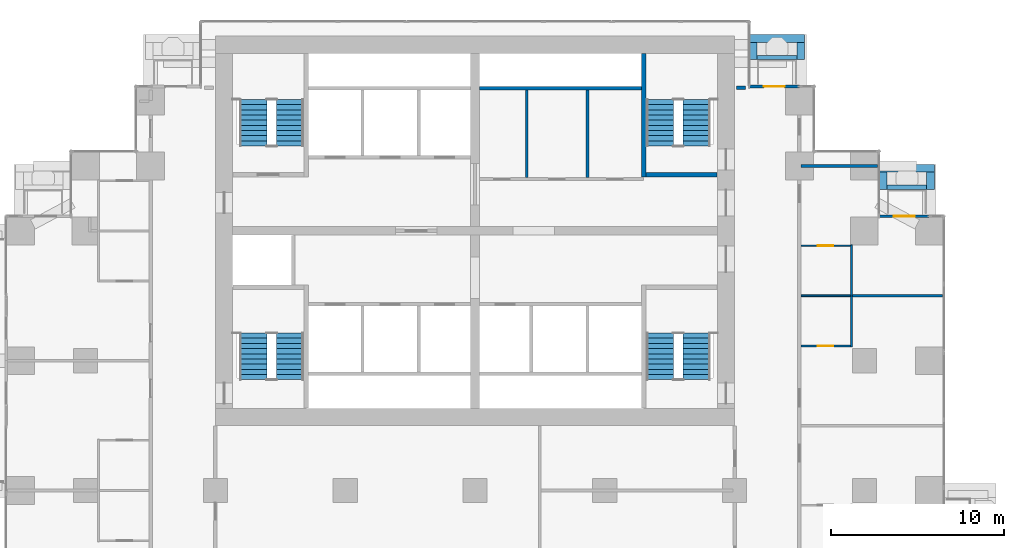
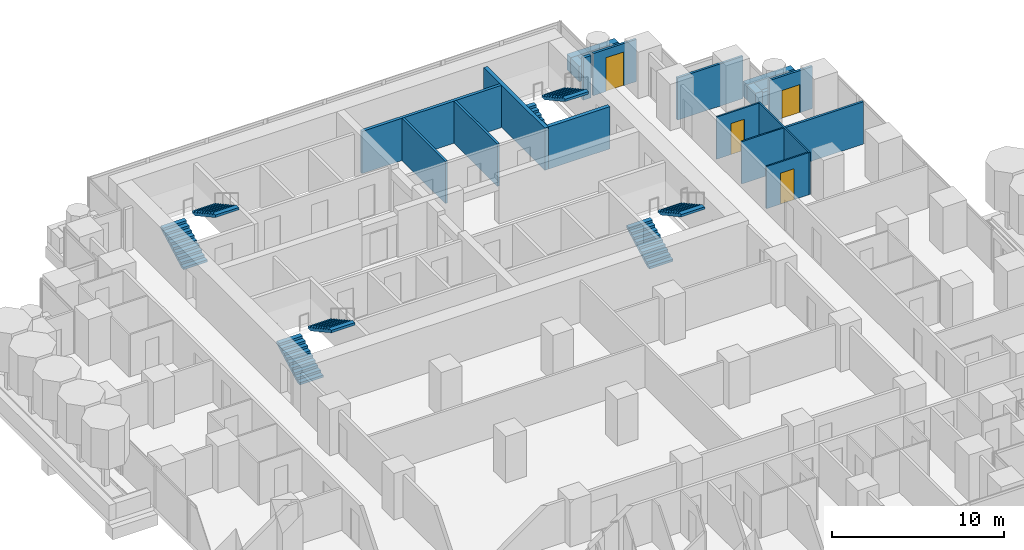
# One storey, part 14 of 17: 22 walls, 8 stair flights, 4 doors, 4 openings, 4 elements without a shape of their own.
"""IFC4 building model written with IfcOpenShell, lengths in metres."""

from ifc_helpers import new_model, si_unit, direction, frame, frame_2d, origin, place, context, subcontext, project, spatial, polyline, rectangle, outline, extrude, material, layer, layer_set, type_object, element, fill, aggregate, save


model = new_model("IFC4")

# Units and contexts
model_context = context("Model", 3, precision=1e-05, world=origin(), true_north=direction((0.0, 1.0)))
body_context = subcontext(model_context, "Body", "Model", "MODEL_VIEW")
ifc_project = project(units=[si_unit("LENGTHUNIT", "METRE"), si_unit("AREAUNIT", "SQUARE_METRE"), si_unit("VOLUMEUNIT", "CUBIC_METRE"), si_unit("PLANEANGLEUNIT", "RADIAN"), si_unit("MASSUNIT", "GRAM", prefix="KILO")], contexts=[model_context])

# Site, building, storey
site_placement = place(None, origin())
site = spatial("IfcSite", under=ifc_project, at=site_placement, CompositionType="ELEMENT")
building_placement = place(site_placement, origin())
building = spatial("IfcBuilding", under=site, at=building_placement, Name="Pilkhan Gate Tower", CompositionType="ELEMENT")
storey_placement = place(building_placement, frame((0.0, 0.0, 49.39990234375)))
storey = spatial("IfcBuildingStorey", under=building, at=storey_placement, Name="L09", CompositionType="ELEMENT", Elevation=49.39990234375)

# Walls
ifc_material_1 = material(Name="Concrete C40/50", Category="concrete")
ifc_layer_1 = layer(ifc_material_1, 0.25)
ifc_layer_set_1 = layer_set([ifc_layer_1], Name="Balcony planter BP250")
wall_type_1 = type_object("IfcWallType", Name="Balcony planter BP250", PredefinedType="USERDEFINED", material=ifc_layer_set_1)
wall_1_placement = place(storey_placement, frame((91.300048828125, 92.52490234375, 0.0), z_axis=(0.0, 0.0, 1.0), x_axis=(1.0, 0.0, 0.0)))
element("IfcWall", 1, at=wall_1_placement, inside=storey, type_object=wall_type_1, Name="Balcony planter L09 N", ObjectType="BALCONY PLANTER", PredefinedType="USERDEFINED", context=body_context, shape_type="SweptSolid", body=[
    extrude(rectangle(XDim=2.300048828125, YDim=0.25, at=frame_2d((1.14990234375, 0.0))), origin(), (0.0, 0.0, 1.0), 1.0),
])
wall_2_placement = place(storey_placement, frame((98.820068359375, 85.02490234375, 0.0), z_axis=(0.0, 0.0, 1.0), x_axis=(1.0, 0.0, 0.0)))
element("IfcWall", 2, at=wall_2_placement, inside=storey, type_object=wall_type_1, Name="Balcony planter L09 N", ObjectType="BALCONY PLANTER", PredefinedType="USERDEFINED", context=body_context, shape_type="SweptSolid", body=[
    extrude(rectangle(XDim=2.280029296875, YDim=0.25, at=frame_2d((1.14013671875, 0.0))), origin(), (0.0, 0.0, 1.0), 1.0),
])
ifc_material_2 = material(Name="Board-marked Concrete C40/50", Category="concrete")
ifc_layer_2 = layer(ifc_material_2, 0.449951171875)
ifc_layer_set_2 = layer_set([ifc_layer_2], Name="Balcony planter lip BL450")
wall_type_2 = type_object("IfcWallType", Name="Balcony planter lip BL450", PredefinedType="USERDEFINED", material=ifc_layer_set_2)
wall_3_placement = place(storey_placement, frame((90.85009765625, 93.625, 0.0), z_axis=(0.0, 0.0, 1.0), x_axis=(1.0, 0.0, 0.0)))
element("IfcWall", 3, at=wall_3_placement, inside=storey, type_object=wall_type_2, Name="Balcony planter L09 N", ObjectType="BALCONY PLANTER", PredefinedType="USERDEFINED", context=body_context, shape_type="SweptSolid", body=[
    extrude(rectangle(XDim=3.199951171875, YDim=0.449951171875, at=frame_2d((1.60009765625, 0.0))), origin(), (0.0, 0.0, 1.0), 1.10009765625),
])
for number, where, z_axis, x_axis, name in (
    (4, (91.074951171875, 92.39990234375, 0.0), (0.0, 0.0, 1.0), (0.0, 1.0, 0.0), "Balcony planter L09 N"),
    (5, (93.824951171875, 92.39990234375, 0.0), (0.0, 0.0, 1.0), (0.0, 1.0, 0.0), "Balcony planter L09 N"),
):
    element("IfcWall", number, at=place(storey_placement, frame(where, z_axis=z_axis, x_axis=x_axis)), inside=storey, type_object=wall_type_2, Name=name, ObjectType="BALCONY PLANTER", PredefinedType="USERDEFINED", context=body_context, shape_type="SweptSolid", body=[
        extrude(rectangle(XDim=1.0, YDim=0.449951171875, at=frame_2d((0.5, 0.0))), origin(), (0.0, 0.0, 1.0), 1.10009765625),
    ])
wall_4_placement = place(storey_placement, frame((98.3701171875, 86.125, 0.0), z_axis=(0.0, 0.0, 1.0), x_axis=(1.0, 0.0, 0.0)))
element("IfcWall", 6, at=wall_4_placement, inside=storey, type_object=wall_type_2, Name="Balcony planter L09 N", ObjectType="BALCONY PLANTER", PredefinedType="USERDEFINED", context=body_context, shape_type="SweptSolid", body=[
    extrude(rectangle(XDim=3.179931640625, YDim=0.449951171875, at=frame_2d((1.58984375, 0.0))), origin(), (0.0, 0.0, 1.0), 1.10009765625),
])
for number, where, z_axis, x_axis, name in (
    (7, (98.594970703125, 84.89990234375, 0.0), (0.0, 0.0, 1.0), (0.0, 1.0, 0.0), "Balcony planter L09 N"),
    (8, (101.324951171875, 84.89990234375, 0.0), (0.0, 0.0, 1.0), (0.0, 1.0, 0.0), "Balcony planter L09 N"),
):
    element("IfcWall", number, at=place(storey_placement, frame(where, z_axis=z_axis, x_axis=x_axis)), inside=storey, type_object=wall_type_2, Name=name, ObjectType="BALCONY PLANTER", PredefinedType="USERDEFINED", context=body_context, shape_type="SweptSolid", body=[
        extrude(rectangle(XDim=1.0, YDim=0.449951171875, at=frame_2d((0.5, 0.0))), origin(), (0.0, 0.0, 1.0), 1.10009765625),
    ])
ifc_material_3 = material(Name="Dense blockwork", Category="masonry")
ifc_layer_3 = layer(ifc_material_3, 0.199951171875)
ifc_layer_set_3 = layer_set([ifc_layer_3], Name="Corridor wall FW200")
wall_type_3 = type_object("IfcWallType", Name="Corridor wall FW200", PredefinedType="PARTITIONING", material=ifc_layer_set_3)
wall_5_placement = place(storey_placement, frame((90.1201171875, 90.764892578125, 0.0), z_axis=(0.0, 0.0, 1.0), x_axis=(1.0, 0.0, 0.0)))
element("IfcWall", 9, at=wall_5_placement, inside=storey, type_object=wall_type_3, Name="Partition L09", PredefinedType="PARTITIONING", context=body_context, shape_type="SweptSolid", body=[
    extrude(rectangle(XDim=0.52490234375, YDim=0.199951171875, at=frame_2d((0.262451171875, 0.0))), origin(), (0.0, 0.0, 1.0), 3.0),
])

# Wall, opening, door
ifc_material_4 = material(Name="Pale anodised aluminium, clear laminated glazing", Category="aluminium")
ifc_layer_4 = layer(ifc_material_4, 0.14990234375)
ifc_layer_set_4 = layer_set([ifc_layer_4], Name="Facade infill wall IW150")
wall_type_4 = type_object("IfcWallType", Name="Facade infill wall IW150", PredefinedType="SOLIDWALL", material=ifc_layer_set_4)
wall_6_placement = place(storey_placement, frame((98.344970703125, 83.344970703125, 0.0), z_axis=(0.0, 0.0, 1.0), x_axis=(1.0, 0.0, 0.0)))
wall_6 = element("IfcWall", 10, at=wall_6_placement, inside=storey, type_object=wall_type_4, Name="Infill wall L09 N", PredefinedType="SOLIDWALL", context=body_context, shape_type="SweptSolid", body=[
    extrude(rectangle(XDim=2.905029296875, YDim=0.14990234375, at=frame_2d((1.45263671875, 0.0))), origin(), (0.0, 0.0, 1.0), 3.0),
])
opening_1_placement = place(wall_6_placement, frame((0.8525390625, 0.0, 0.0)))
opening_1 = element("IfcOpeningElement", 11, at=opening_1_placement, cuts=wall_6, Name="Opening D1L", PredefinedType="OPENING", context=body_context, shape_type="SweptSolid", body=[
    extrude(rectangle(XDim=1.199951171875, YDim=2.0, at=frame_2d((0.60009765625, 1.0))), frame((0.0, 0.0849609375, 0.0), z_axis=(0.0, -1.0, 0.0), x_axis=(1.0, 0.0, 0.0)), (0.0, 0.0, 1.0), 0.169921875),
])
ifc_material_5 = material(Name="Pale anodised aluminium, clear glazing", Category="aluminium")
door_type_1 = type_object("IfcDoorType", Name="Balcony door D1L 1200x2000", OperationType="SINGLE_SWING_LEFT", PredefinedType="DOOR", material=ifc_material_5)
door_1_placement = place(opening_1_placement, origin())
door_1 = element("IfcDoor", 12, at=door_1_placement, inside=storey, type_object=door_type_1, Name="Balcony door L09", OperationType="SINGLE_SWING_LEFT", OverallHeight=2.0, OverallWidth=1.199951171875, PredefinedType="DOOR", context=body_context, shape_type="SweptSolid", body=[
    extrude(rectangle(XDim=1.199951171875, YDim=2.0, at=frame_2d((0.60009765625, 1.0))), frame((0.0, 0.02490234375, 0.0), z_axis=(0.0, -1.0, 0.0), x_axis=(1.0, 0.0, 0.0)), (0.0, 0.0, 1.0), 0.050048828125),
])
fill(opening_1, door_1)

wall_7_placement = place(storey_placement, frame((90.844970703125, 90.844970703125, 0.0), z_axis=(0.0, 0.0, 1.0), x_axis=(1.0, 0.0, 0.0)))
wall_7 = element("IfcWall", 13, at=wall_7_placement, inside=storey, type_object=wall_type_4, Name="Infill wall L09 N", PredefinedType="SOLIDWALL", context=body_context, shape_type="SweptSolid", body=[
    extrude(rectangle(XDim=2.905029296875, YDim=0.14990234375, at=frame_2d((1.45263671875, 0.0))), origin(), (0.0, 0.0, 1.0), 3.0),
])
opening_2_placement = place(wall_7_placement, frame((0.8525390625, 0.0, 0.0)))
opening_2 = element("IfcOpeningElement", 14, at=opening_2_placement, cuts=wall_7, Name="Opening D1", PredefinedType="OPENING", context=body_context, shape_type="SweptSolid", body=[
    extrude(rectangle(XDim=1.199951171875, YDim=2.39990234375, at=frame_2d((0.60009765625, 1.199951171875))), frame((0.0, 0.0849609375, 0.0), z_axis=(0.0, -1.0, 0.0), x_axis=(1.0, 0.0, 0.0)), (0.0, 0.0, 1.0), 0.169921875),
])
door_type_2 = type_object("IfcDoorType", Name="Balcony door D1 1200x2400", OperationType="SINGLE_SWING_LEFT", PredefinedType="DOOR", material=ifc_material_5)
door_2_placement = place(opening_2_placement, origin())
door_2 = element("IfcDoor", 15, at=door_2_placement, inside=storey, type_object=door_type_2, Name="Balcony door L09", OperationType="SINGLE_SWING_LEFT", OverallHeight=2.39990234375, OverallWidth=1.199951171875, PredefinedType="DOOR", context=body_context, shape_type="SweptSolid", body=[
    extrude(rectangle(XDim=1.199951171875, YDim=2.39990234375, at=frame_2d((0.60009765625, 1.199951171875))), frame((0.0, 0.02490234375, 0.0), z_axis=(0.0, -1.0, 0.0), x_axis=(1.0, 0.0, 0.0)), (0.0, 0.0, 1.0), 0.050048828125),
])
fill(opening_2, door_2)

# Walls
ifc_layer_5 = layer(ifc_material_3, 0.199951171875)
ifc_layer_set_5 = layer_set([ifc_layer_5], Name="Lobby wall LW200")
wall_type_5 = type_object("IfcWallType", Name="Lobby wall LW200", PredefinedType="PARTITIONING", material=ifc_layer_set_5)
wall_8_placement = place(storey_placement, frame((75.260009765625, 90.75, 0.0), z_axis=(0.0, 0.0, 1.0), x_axis=(1.0, 0.0, 0.0)))
element("IfcWall", 16, at=wall_8_placement, inside=storey, type_object=wall_type_5, Name="Partition L09", PredefinedType="PARTITIONING", context=body_context, shape_type="SweptSolid", body=[
    extrude(rectangle(XDim=9.364990234375, YDim=0.199951171875, at=frame_2d((4.6826171875, 0.0))), origin(), (0.0, 0.0, 1.0), 3.0),
])
ifc_material_6 = material(Name="Blockwork partition, plastered both sides", Category="masonry")
ifc_layer_6 = layer(ifc_material_6, 0.14990234375)
ifc_layer_set_6 = layer_set([ifc_layer_6], Name="Partition PW150")
wall_type_6 = type_object("IfcWallType", Name="Partition PW150", PredefinedType="PARTITIONING", material=ifc_layer_set_6)
wall_9_placement = place(storey_placement, frame((96.800048828125, 78.75, 0.0), z_axis=(0.0, 0.0, 1.0), x_axis=(1.0, 0.0, 0.0)))
element("IfcWall", 17, at=wall_9_placement, inside=storey, type_object=wall_type_6, Name="Partition L09", PredefinedType="PARTITIONING", context=body_context, shape_type="SweptSolid", body=[
    extrude(rectangle(XDim=5.21484375, YDim=0.14990234375, at=frame_2d((2.607421875, 0.0))), origin(), (0.0, 0.0, 1.0), 3.0),
])
wall_10_placement = place(storey_placement, frame((93.85009765625, 86.25, 0.0), z_axis=(0.0, 0.0, 1.0), x_axis=(1.0, 0.0, 0.0)))
element("IfcWall", 18, at=wall_10_placement, inside=storey, type_object=wall_type_6, Name="Partition L09", PredefinedType="PARTITIONING", context=body_context, shape_type="SweptSolid", body=[
    extrude(rectangle(XDim=4.414794921875, YDim=0.14990234375, at=frame_2d((2.20751953125, 0.0))), origin(), (0.0, 0.0, 1.0), 3.0),
])
for number, where, z_axis, x_axis, name in (
    (19, (78.0, 85.60009765625, 0.0), (0.0, 0.0, 1.0), (0.0, 1.0, 0.0), "Partition L09"),
    (20, (81.5, 85.60009765625, 0.0), (0.0, 0.0, 1.0), (0.0, 1.0, 0.0), "Partition L09"),
):
    element("IfcWall", number, at=place(storey_placement, frame(where, z_axis=z_axis, x_axis=x_axis)), inside=storey, type_object=wall_type_6, Name=name, PredefinedType="PARTITIONING", context=body_context, shape_type="SweptSolid", body=[
        extrude(rectangle(XDim=5.0498046875, YDim=0.14990234375, at=frame_2d((2.52490234375, 0.0))), origin(), (0.0, 0.0, 1.0), 3.0),
    ])
ifc_material_7 = material(Name="Reinforced blockwork, 120 minute fire resisting", Category="masonry")
ifc_layer_7 = layer(ifc_material_7, 0.25)
ifc_layer_set_7 = layer_set([ifc_layer_7], Name="Stair enclosure wall SE250")
wall_type_7 = type_object("IfcWallType", Name="Stair enclosure wall SE250", PredefinedType="PARTITIONING", material=ifc_layer_set_7)
wall_11_placement = place(storey_placement, frame((84.875, 85.75, 0.0), z_axis=(0.0, 0.0, 1.0), x_axis=(1.0, 0.0, 0.0)))
element("IfcWall", 21, at=wall_11_placement, inside=storey, type_object=wall_type_7, Name="Partition L09", PredefinedType="PARTITIONING", context=body_context, shape_type="SweptSolid", body=[
    extrude(rectangle(XDim=4.114990234375, YDim=0.25, at=frame_2d((2.0576171875, 0.0))), origin(), (0.0, 0.0, 1.0), 3.0),
])
wall_12_placement = place(storey_placement, frame((84.75, 85.625, 0.0), z_axis=(0.0, 0.0, 1.0), x_axis=(0.0, 1.0, 0.0)))
element("IfcWall", 22, at=wall_12_placement, inside=storey, type_object=wall_type_7, Name="Partition L09", PredefinedType="PARTITIONING", context=body_context, shape_type="SweptSolid", body=[
    extrude(rectangle(XDim=7.114990234375, YDim=0.25, at=frame_2d((3.5576171875, 0.0))), origin(), (0.0, 0.0, 1.0), 3.0),
])

# Wall, opening, door
ifc_material_8 = material(Name="Moisture resistant board, tiled")
ifc_layer_8 = layer(ifc_material_8, 0.10009765625)
ifc_layer_set_8 = layer_set([ifc_layer_8], Name="Wet wall PW100")
wall_type_8 = type_object("IfcWallType", Name="Wet wall PW100", PredefinedType="PARTITIONING", material=ifc_layer_set_8)
wall_13_placement = place(storey_placement, frame((93.85009765625, 75.85009765625, 0.0), z_axis=(0.0, 0.0, 1.0), x_axis=(1.0, 0.0, 0.0)))
wall_13 = element("IfcWall", 23, at=wall_13_placement, inside=storey, type_object=wall_type_8, Name="Partition L09", PredefinedType="PARTITIONING", context=body_context, shape_type="SweptSolid", body=[
    extrude(rectangle(XDim=2.849853515625, YDim=0.10009765625, at=frame_2d((1.4248046875, 0.0))), origin(), (0.0, 0.0, 1.0), 3.0),
])
opening_3_placement = place(wall_13_placement, frame((0.949951171875, 0.0, 0.0)))
opening_3 = element("IfcOpeningElement", 24, at=opening_3_placement, cuts=wall_13, Name="Opening L09-43", PredefinedType="OPENING", context=body_context, shape_type="SweptSolid", body=[
    extrude(rectangle(XDim=0.89990234375, YDim=2.199951171875, at=frame_2d((0.449951171875, 1.10009765625))), frame((0.0, 0.06005859375, 0.0), z_axis=(0.0, -1.0, 0.0), x_axis=(1.0, 0.0, 0.0)), (0.0, 0.0, 1.0), 0.1201171875),
])
ifc_material_9 = material(Name="Timber flush door", Category="wood")
door_type_3 = type_object("IfcDoorType", Name="Bathroom door D02 900x2200", OperationType="SINGLE_SWING_RIGHT", PredefinedType="DOOR", material=ifc_material_9)
door_3_placement = place(opening_3_placement, origin())
door_3 = element("IfcDoor", 25, at=door_3_placement, inside=storey, type_object=door_type_3, Name="Bathroom door", OperationType="SINGLE_SWING_RIGHT", OverallHeight=2.199951171875, OverallWidth=0.89990234375, PredefinedType="DOOR", context=body_context, shape_type="SweptSolid", body=[
    extrude(rectangle(XDim=0.89990234375, YDim=2.199951171875, at=frame_2d((0.449951171875, 1.10009765625))), frame((0.0, 0.02490234375, 0.0), z_axis=(0.0, -1.0, 0.0), x_axis=(1.0, 0.0, 0.0)), (0.0, 0.0, 1.0), 0.050048828125),
])
fill(opening_3, door_3)

# Wall
wall_14_placement = place(storey_placement, frame((93.85009765625, 78.75, 0.0), z_axis=(0.0, 0.0, 1.0), x_axis=(1.0, 0.0, 0.0)))
element("IfcWall", 26, at=wall_14_placement, inside=storey, type_object=wall_type_8, Name="Partition L09", PredefinedType="PARTITIONING", context=body_context, shape_type="SweptSolid", body=[
    extrude(rectangle(XDim=2.849853515625, YDim=0.10009765625, at=frame_2d((1.4248046875, 0.0))), origin(), (0.0, 0.0, 1.0), 3.0),
])

# Wall, opening, door
wall_15_placement = place(storey_placement, frame((93.85009765625, 81.64990234375, 0.0), z_axis=(0.0, 0.0, 1.0), x_axis=(1.0, 0.0, 0.0)))
wall_15 = element("IfcWall", 27, at=wall_15_placement, inside=storey, type_object=wall_type_8, Name="Partition L09", PredefinedType="PARTITIONING", context=body_context, shape_type="SweptSolid", body=[
    extrude(rectangle(XDim=2.849853515625, YDim=0.10009765625, at=frame_2d((1.4248046875, 0.0))), origin(), (0.0, 0.0, 1.0), 3.0),
])
opening_4_placement = place(wall_15_placement, frame((0.949951171875, 0.0, 0.0)))
opening_4 = element("IfcOpeningElement", 28, at=opening_4_placement, cuts=wall_15, Name="Opening L09-45", PredefinedType="OPENING", context=body_context, shape_type="SweptSolid", body=[
    extrude(rectangle(XDim=0.89990234375, YDim=2.199951171875, at=frame_2d((0.449951171875, 1.10009765625))), frame((0.0, 0.06005859375, 0.0), z_axis=(0.0, -1.0, 0.0), x_axis=(1.0, 0.0, 0.0)), (0.0, 0.0, 1.0), 0.1201171875),
])
door_4_placement = place(opening_4_placement, origin())
door_4 = element("IfcDoor", 29, at=door_4_placement, inside=storey, type_object=door_type_3, Name="Bathroom door", OperationType="SINGLE_SWING_RIGHT", OverallHeight=2.199951171875, OverallWidth=0.89990234375, PredefinedType="DOOR", context=body_context, shape_type="SweptSolid", body=[
    extrude(rectangle(XDim=0.89990234375, YDim=2.199951171875, at=frame_2d((0.449951171875, 1.10009765625))), frame((0.0, 0.02490234375, 0.0), z_axis=(0.0, -1.0, 0.0), x_axis=(1.0, 0.0, 0.0)), (0.0, 0.0, 1.0), 0.050048828125),
])
fill(opening_4, door_4)

# Wall
wall_16_placement = place(storey_placement, frame((96.75, 75.800048828125, 0.0), z_axis=(0.0, 0.0, 1.0), x_axis=(0.0, 1.0, 0.0)))
element("IfcWall", 30, at=wall_16_placement, inside=storey, type_object=wall_type_8, Name="Partition L09", PredefinedType="PARTITIONING", context=body_context, shape_type="SweptSolid", body=[
    extrude(rectangle(XDim=5.89990234375, YDim=0.10009765625, at=frame_2d((2.949951171875, 0.0))), origin(), (0.0, 0.0, 1.0), 3.0),
])

# Stair, stair flights
ifc_material_10 = material(Name="Concrete C40/50 precast", Category="concrete")
stair_type_1 = type_object("IfcStairType", Name="Stair ST1 165x300", PredefinedType="HALF_TURN_STAIR", material=ifc_material_10)
stair_1_placement = place(storey_placement, origin())
stair_1 = element("IfcStair", 31, at=stair_1_placement, inside=storey, type_object=stair_type_1, Name="Stair ST1 L09", PredefinedType="HALF_TURN_STAIR")
stair_flight_type_1 = type_object("IfcStairFlightType", Name="Stair flight ST1 165x300x10", PredefinedType="STRAIGHT", material=ifc_material_10)
stair_flight_1_placement = place(storey_placement, frame((85.68994140625, 73.89990234375, 0.0), z_axis=(0.0, 0.0, 1.0), x_axis=(0.0, 1.0, 0.0)))
stair_flight_1 = element("IfcStairFlight", 32, at=stair_flight_1_placement, type_object=stair_flight_type_1, Name="ST1 flight 1", NumberOfRisers=10, NumberOfTreads=9, PredefinedType="STRAIGHT", RiserHeight=0.165, TreadLength=0.3, context=body_context, shape_type="SweptSolid", body=[
    extrude(outline(polyline([(0.0, 0.0), (0.0, 0.1650390625), (0.300048828125, 0.1650390625), (0.300048828125, 0.330078125), (0.60009765625, 0.330078125), (0.60009765625, 0.4951171875), (0.89990234375, 0.4951171875), (0.89990234375, 0.659912109375), (1.199951171875, 0.659912109375), (1.199951171875, 0.824951171875), (1.5, 0.824951171875), (1.5, 0.989990234375), (1.800048828125, 0.989990234375), (1.800048828125, 1.155029296875), (2.10009765625, 1.155029296875), (2.10009765625, 1.320068359375), (2.39990234375, 1.320068359375), (2.39990234375, 1.485107421875), (2.699951171875, 1.485107421875), (2.699951171875, 1.64990234375), (2.699951171875, 1.31396484375), (0.31103515625, 0.0), (0.0, 0.0)])), frame((0.0, 0.7900390625, 0.0), z_axis=(0.0, -1.0, 0.0), x_axis=(1.0, 0.0, 0.0)), (0.0, 0.0, 1.0), 1.580078125),
])
stair_flight_2_placement = place(storey_placement, frame((87.81005859375, 76.60009765625, 1.650146484375), z_axis=(0.0, 0.0, 1.0), x_axis=(0.0, -1.0, 0.0)))
stair_flight_2 = element("IfcStairFlight", 33, at=stair_flight_2_placement, type_object=stair_flight_type_1, Name="ST1 flight 2", NumberOfRisers=10, NumberOfTreads=9, PredefinedType="STRAIGHT", RiserHeight=0.165, TreadLength=0.3, context=body_context, shape_type="SweptSolid", body=[
    extrude(outline(polyline([(0.0, 0.0), (0.0, 0.1650390625), (0.300048828125, 0.1650390625), (0.300048828125, 0.330078125), (0.60009765625, 0.330078125), (0.60009765625, 0.4951171875), (0.89990234375, 0.4951171875), (0.89990234375, 0.659912109375), (1.199951171875, 0.659912109375), (1.199951171875, 0.824951171875), (1.5, 0.824951171875), (1.5, 0.989990234375), (1.800048828125, 0.989990234375), (1.800048828125, 1.155029296875), (2.10009765625, 1.155029296875), (2.10009765625, 1.320068359375), (2.39990234375, 1.320068359375), (2.39990234375, 1.485107421875), (2.699951171875, 1.485107421875), (2.699951171875, 1.64990234375), (2.699951171875, 1.31396484375), (0.31103515625, 0.0), (0.0, 0.0)])), frame((0.0, 0.7900390625, 0.0), z_axis=(0.0, -1.0, 0.0), x_axis=(1.0, 0.0, 0.0)), (0.0, 0.0, 1.0), 1.580078125),
])
aggregate(stair_1, [stair_flight_1, stair_flight_2])

stair_type_2 = type_object("IfcStairType", Name="Stair ST2 165x300", PredefinedType="HALF_TURN_STAIR", material=ifc_material_10)
stair_2_placement = place(storey_placement, origin())
stair_2 = element("IfcStair", 34, at=stair_2_placement, inside=storey, type_object=stair_type_2, Name="Stair ST2 L09", PredefinedType="HALF_TURN_STAIR")
stair_flight_type_2 = type_object("IfcStairFlightType", Name="Stair flight ST2 165x300x10", PredefinedType="STRAIGHT", material=ifc_material_10)
stair_flight_3_placement = place(storey_placement, frame((62.18994140625, 73.89990234375, 0.0), z_axis=(0.0, 0.0, 1.0), x_axis=(0.0, 1.0, 0.0)))
stair_flight_3 = element("IfcStairFlight", 35, at=stair_flight_3_placement, type_object=stair_flight_type_2, Name="ST2 flight 1", NumberOfRisers=10, NumberOfTreads=9, PredefinedType="STRAIGHT", RiserHeight=0.165, TreadLength=0.3, context=body_context, shape_type="SweptSolid", body=[
    extrude(outline(polyline([(0.0, 0.0), (0.0, 0.1650390625), (0.300048828125, 0.1650390625), (0.300048828125, 0.330078125), (0.60009765625, 0.330078125), (0.60009765625, 0.4951171875), (0.89990234375, 0.4951171875), (0.89990234375, 0.659912109375), (1.199951171875, 0.659912109375), (1.199951171875, 0.824951171875), (1.5, 0.824951171875), (1.5, 0.989990234375), (1.800048828125, 0.989990234375), (1.800048828125, 1.155029296875), (2.10009765625, 1.155029296875), (2.10009765625, 1.320068359375), (2.39990234375, 1.320068359375), (2.39990234375, 1.485107421875), (2.699951171875, 1.485107421875), (2.699951171875, 1.64990234375), (2.699951171875, 1.31396484375), (0.31103515625, 0.0), (0.0, 0.0)])), frame((0.0, 0.7900390625, 0.0), z_axis=(0.0, -1.0, 0.0), x_axis=(1.0, 0.0, 0.0)), (0.0, 0.0, 1.0), 1.580078125),
])
stair_flight_4_placement = place(storey_placement, frame((64.31005859375, 76.60009765625, 1.650146484375), z_axis=(0.0, 0.0, 1.0), x_axis=(0.0, -1.0, 0.0)))
stair_flight_4 = element("IfcStairFlight", 36, at=stair_flight_4_placement, type_object=stair_flight_type_2, Name="ST2 flight 2", NumberOfRisers=10, NumberOfTreads=9, PredefinedType="STRAIGHT", RiserHeight=0.165, TreadLength=0.3, context=body_context, shape_type="SweptSolid", body=[
    extrude(outline(polyline([(0.0, 0.0), (0.0, 0.1650390625), (0.300048828125, 0.1650390625), (0.300048828125, 0.330078125), (0.60009765625, 0.330078125), (0.60009765625, 0.4951171875), (0.89990234375, 0.4951171875), (0.89990234375, 0.659912109375), (1.199951171875, 0.659912109375), (1.199951171875, 0.824951171875), (1.5, 0.824951171875), (1.5, 0.989990234375), (1.800048828125, 0.989990234375), (1.800048828125, 1.155029296875), (2.10009765625, 1.155029296875), (2.10009765625, 1.320068359375), (2.39990234375, 1.320068359375), (2.39990234375, 1.485107421875), (2.699951171875, 1.485107421875), (2.699951171875, 1.64990234375), (2.699951171875, 1.31396484375), (0.31103515625, 0.0), (0.0, 0.0)])), frame((0.0, 0.7900390625, 0.0), z_axis=(0.0, -1.0, 0.0), x_axis=(1.0, 0.0, 0.0)), (0.0, 0.0, 1.0), 1.580078125),
])
aggregate(stair_2, [stair_flight_3, stair_flight_4])

stair_type_3 = type_object("IfcStairType", Name="Stair ST3 165x300", PredefinedType="HALF_TURN_STAIR", material=ifc_material_10)
stair_3_placement = place(storey_placement, origin())
stair_3 = element("IfcStair", 37, at=stair_3_placement, inside=storey, type_object=stair_type_3, Name="Stair ST3 L09", PredefinedType="HALF_TURN_STAIR")
stair_flight_type_3 = type_object("IfcStairFlightType", Name="Stair flight ST3 165x300x10", PredefinedType="STRAIGHT", material=ifc_material_10)
stair_flight_5_placement = place(storey_placement, frame((62.18994140625, 87.39990234375, 0.0), z_axis=(0.0, 0.0, 1.0), x_axis=(0.0, 1.0, 0.0)))
stair_flight_5 = element("IfcStairFlight", 38, at=stair_flight_5_placement, type_object=stair_flight_type_3, Name="ST3 flight 1", NumberOfRisers=10, NumberOfTreads=9, PredefinedType="STRAIGHT", RiserHeight=0.165, TreadLength=0.3, context=body_context, shape_type="SweptSolid", body=[
    extrude(outline(polyline([(0.0, 0.0), (0.0, 0.1650390625), (0.300048828125, 0.1650390625), (0.300048828125, 0.330078125), (0.60009765625, 0.330078125), (0.60009765625, 0.4951171875), (0.89990234375, 0.4951171875), (0.89990234375, 0.659912109375), (1.199951171875, 0.659912109375), (1.199951171875, 0.824951171875), (1.5, 0.824951171875), (1.5, 0.989990234375), (1.800048828125, 0.989990234375), (1.800048828125, 1.155029296875), (2.10009765625, 1.155029296875), (2.10009765625, 1.320068359375), (2.39990234375, 1.320068359375), (2.39990234375, 1.485107421875), (2.699951171875, 1.485107421875), (2.699951171875, 1.64990234375), (2.699951171875, 1.31396484375), (0.31103515625, 0.0), (0.0, 0.0)])), frame((0.0, 0.7900390625, 0.0), z_axis=(0.0, -1.0, 0.0), x_axis=(1.0, 0.0, 0.0)), (0.0, 0.0, 1.0), 1.580078125),
])
stair_flight_6_placement = place(storey_placement, frame((64.31005859375, 90.10009765625, 1.650146484375), z_axis=(0.0, 0.0, 1.0), x_axis=(0.0, -1.0, 0.0)))
stair_flight_6 = element("IfcStairFlight", 39, at=stair_flight_6_placement, type_object=stair_flight_type_3, Name="ST3 flight 2", NumberOfRisers=10, NumberOfTreads=9, PredefinedType="STRAIGHT", RiserHeight=0.165, TreadLength=0.3, context=body_context, shape_type="SweptSolid", body=[
    extrude(outline(polyline([(0.0, 0.0), (0.0, 0.1650390625), (0.300048828125, 0.1650390625), (0.300048828125, 0.330078125), (0.60009765625, 0.330078125), (0.60009765625, 0.4951171875), (0.89990234375, 0.4951171875), (0.89990234375, 0.659912109375), (1.199951171875, 0.659912109375), (1.199951171875, 0.824951171875), (1.5, 0.824951171875), (1.5, 0.989990234375), (1.800048828125, 0.989990234375), (1.800048828125, 1.155029296875), (2.10009765625, 1.155029296875), (2.10009765625, 1.320068359375), (2.39990234375, 1.320068359375), (2.39990234375, 1.485107421875), (2.699951171875, 1.485107421875), (2.699951171875, 1.64990234375), (2.699951171875, 1.31396484375), (0.31103515625, 0.0), (0.0, 0.0)])), frame((0.0, 0.7900390625, 0.0), z_axis=(0.0, -1.0, 0.0), x_axis=(1.0, 0.0, 0.0)), (0.0, 0.0, 1.0), 1.580078125),
])
aggregate(stair_3, [stair_flight_5, stair_flight_6])

stair_type_4 = type_object("IfcStairType", Name="Stair ST4 165x300", PredefinedType="HALF_TURN_STAIR", material=ifc_material_10)
stair_4_placement = place(storey_placement, origin())
stair_4 = element("IfcStair", 40, at=stair_4_placement, inside=storey, type_object=stair_type_4, Name="Stair ST4 L09", PredefinedType="HALF_TURN_STAIR")
stair_flight_type_4 = type_object("IfcStairFlightType", Name="Stair flight ST4 165x300x10", PredefinedType="STRAIGHT", material=ifc_material_10)
stair_flight_7_placement = place(storey_placement, frame((85.68994140625, 87.39990234375, 0.0), z_axis=(0.0, 0.0, 1.0), x_axis=(0.0, 1.0, 0.0)))
stair_flight_7 = element("IfcStairFlight", 41, at=stair_flight_7_placement, type_object=stair_flight_type_4, Name="ST4 flight 1", NumberOfRisers=10, NumberOfTreads=9, PredefinedType="STRAIGHT", RiserHeight=0.165, TreadLength=0.3, context=body_context, shape_type="SweptSolid", body=[
    extrude(outline(polyline([(0.0, 0.0), (0.0, 0.1650390625), (0.300048828125, 0.1650390625), (0.300048828125, 0.330078125), (0.60009765625, 0.330078125), (0.60009765625, 0.4951171875), (0.89990234375, 0.4951171875), (0.89990234375, 0.659912109375), (1.199951171875, 0.659912109375), (1.199951171875, 0.824951171875), (1.5, 0.824951171875), (1.5, 0.989990234375), (1.800048828125, 0.989990234375), (1.800048828125, 1.155029296875), (2.10009765625, 1.155029296875), (2.10009765625, 1.320068359375), (2.39990234375, 1.320068359375), (2.39990234375, 1.485107421875), (2.699951171875, 1.485107421875), (2.699951171875, 1.64990234375), (2.699951171875, 1.31396484375), (0.31103515625, 0.0), (0.0, 0.0)])), frame((0.0, 0.7900390625, 0.0), z_axis=(0.0, -1.0, 0.0), x_axis=(1.0, 0.0, 0.0)), (0.0, 0.0, 1.0), 1.580078125),
])
stair_flight_8_placement = place(storey_placement, frame((87.81005859375, 90.10009765625, 1.650146484375), z_axis=(0.0, 0.0, 1.0), x_axis=(0.0, -1.0, 0.0)))
stair_flight_8 = element("IfcStairFlight", 42, at=stair_flight_8_placement, type_object=stair_flight_type_4, Name="ST4 flight 2", NumberOfRisers=10, NumberOfTreads=9, PredefinedType="STRAIGHT", RiserHeight=0.165, TreadLength=0.3, context=body_context, shape_type="SweptSolid", body=[
    extrude(outline(polyline([(0.0, 0.0), (0.0, 0.1650390625), (0.300048828125, 0.1650390625), (0.300048828125, 0.330078125), (0.60009765625, 0.330078125), (0.60009765625, 0.4951171875), (0.89990234375, 0.4951171875), (0.89990234375, 0.659912109375), (1.199951171875, 0.659912109375), (1.199951171875, 0.824951171875), (1.5, 0.824951171875), (1.5, 0.989990234375), (1.800048828125, 0.989990234375), (1.800048828125, 1.155029296875), (2.10009765625, 1.155029296875), (2.10009765625, 1.320068359375), (2.39990234375, 1.320068359375), (2.39990234375, 1.485107421875), (2.699951171875, 1.485107421875), (2.699951171875, 1.64990234375), (2.699951171875, 1.31396484375), (0.31103515625, 0.0), (0.0, 0.0)])), frame((0.0, 0.7900390625, 0.0), z_axis=(0.0, -1.0, 0.0), x_axis=(1.0, 0.0, 0.0)), (0.0, 0.0, 1.0), 1.580078125),
])
aggregate(stair_4, [stair_flight_7, stair_flight_8])

save(model, "model.ifc")
